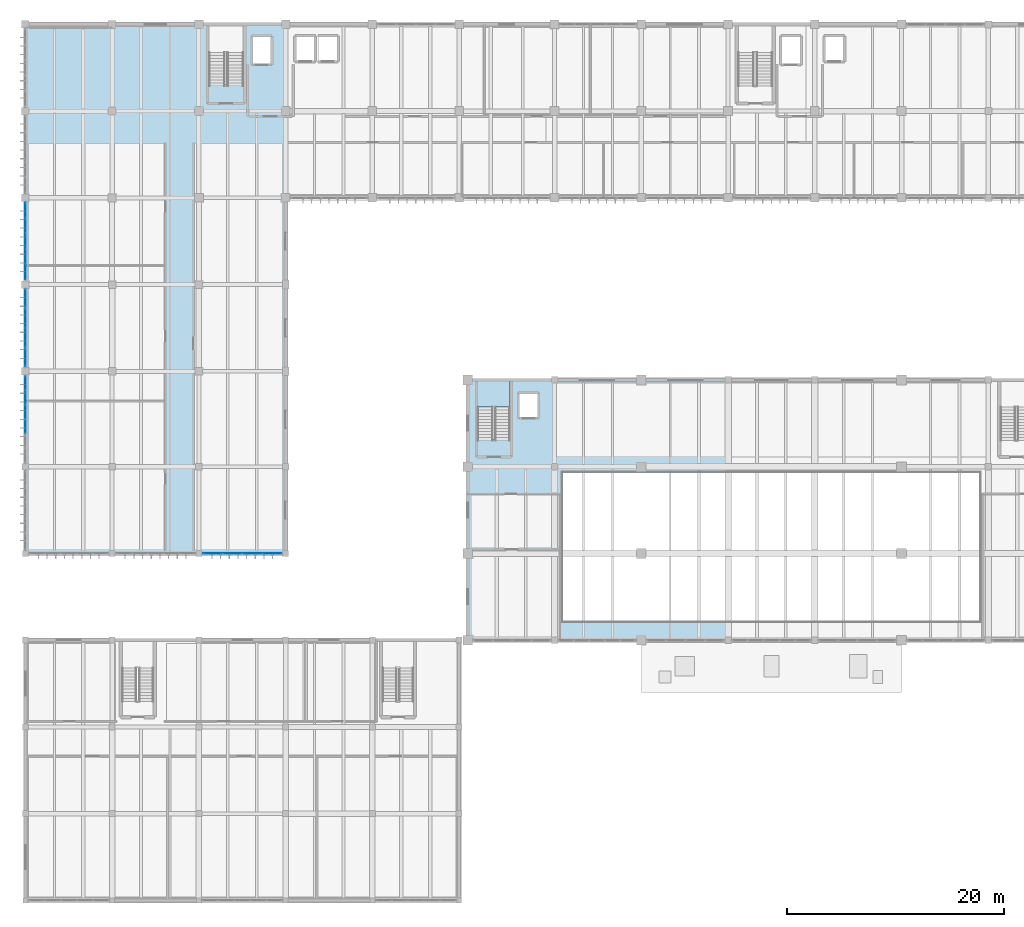
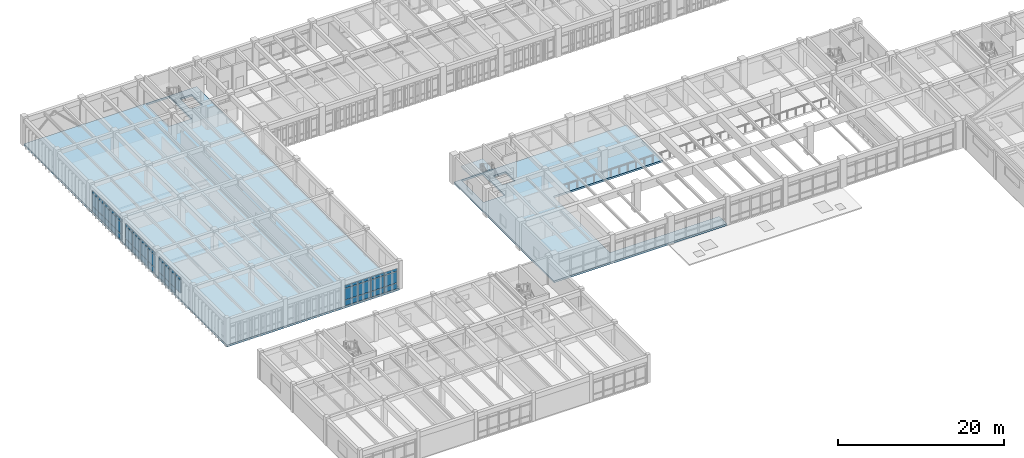
# One storey, part 31 of 67: 50 plates, 3 slabs, 5 elements without a shape of their own.
"""IFC4 building model written with IfcOpenShell, lengths in metres."""

import ifcopenshell
import ifcopenshell.guid

model = None  # the IFC model being written
_history = None  # IfcOwnerHistory: only IFC2X3 demands one
_inside = {}  # id of a spatial element -> (the spatial element, [elements in it])
_under = {}  # id of a project, library or spatial element -> (it, [spatial elements below it])
_declared = {}  # id of a project -> (the project, [libraries it declares])
_typed = {}  # id of a type object -> (the type object, [elements of that type])
_made_of = {}  # id of a material, layer set ... -> (it, [elements and type objects made of it])


def new_model(schema):
    """Start an empty IFC model of exactly this schema.

    Asked for "IFC4X3", IfcOpenShell would pick the latest addendum, in which some entities
    have other attributes; the version numbers below select the first issue.
    IFC2X3 requires an IfcOwnerHistory on every rooted entity: one is made here for all.
    """
    global model, _history
    if schema == "IFC4X3":
        model = ifcopenshell.file(schema_version=(4, 3, 0, 0))
    else:
        model = ifcopenshell.file(schema=schema)
    _inside.clear()
    _under.clear()
    _declared.clear()
    _typed.clear()
    _made_of.clear()
    _history = None
    if model.schema == "IFC2X3":
        org = make("IfcOrganization", Name="unknown")
        user = make(
            "IfcPersonAndOrganization",
            ThePerson=make("IfcPerson", FamilyName="unknown"),
            TheOrganization=org,
        )
        app = make(
            "IfcApplication",
            ApplicationDeveloper=org,
            Version="unknown",
            ApplicationFullName="unknown",
            ApplicationIdentifier="unknown",
        )
        _history = make(
            "IfcOwnerHistory",
            OwningUser=user,
            OwningApplication=app,
            ChangeAction="ADDED",
            CreationDate=0,
        )
    return model


def make(cls, **values):
    """One entity of the class cls with the attributes given. An attribute that is None is left unset."""
    return model.create_entity(
        cls, **{name: value for name, value in values.items() if value is not None}
    )


def rooted(cls, **values):
    """An entity with a GlobalId (a new one), such as an element, a storey or a relation."""
    return make(cls, GlobalId=ifcopenshell.guid.new(), OwnerHistory=_history, **values)


def si_unit(unit_type, name, prefix=None):
    """IfcSIUnit, for example si_unit("LENGTHUNIT", "METRE", prefix="MILLI")."""
    return make("IfcSIUnit", UnitType=unit_type, Prefix=prefix, Name=name)


def assignment(units):
    """IfcUnitAssignment: the units of a project."""
    return None if units is None else make("IfcUnitAssignment", Units=units)


def point(xyz):
    """IfcCartesianPoint."""
    return None if xyz is None else make("IfcCartesianPoint", Coordinates=xyz)


def direction(xyz):
    """IfcDirection."""
    return None if xyz is None else make("IfcDirection", DirectionRatios=xyz)


def frame(location, z_axis=None, x_axis=None):
    """IfcAxis2Placement3D, a coordinate frame: its origin and axes. An axis left out is left unset."""
    return make(
        "IfcAxis2Placement3D",
        Location=point(location),
        Axis=direction(z_axis),
        RefDirection=direction(x_axis),
    )


def frame_2d(location, x_axis=None):
    """IfcAxis2Placement2D, a coordinate frame in the plane: its origin and x axis."""
    return make(
        "IfcAxis2Placement2D", Location=point(location), RefDirection=direction(x_axis)
    )


def origin():
    """The frame at (0, 0, 0) with its axes left unset."""
    return frame((0.0, 0.0, 0.0))


def origin_2d():
    """The frame at (0, 0) in the plane with its x axis left unset."""
    return frame_2d((0.0, 0.0))


def place(relative_to, where):
    """IfcLocalPlacement: puts the frame where relative to a parent placement (None: the world)."""
    return make(
        "IfcLocalPlacement", PlacementRelTo=relative_to, RelativePlacement=where
    )


def context(
    kind, dimensions, precision=None, world=None, true_north=None, identifier=None
):
    """IfcGeometricRepresentationContext, for example the 3D "Model" context."""
    return make(
        "IfcGeometricRepresentationContext",
        ContextIdentifier=identifier,
        ContextType=kind,
        CoordinateSpaceDimension=dimensions,
        Precision=precision,
        WorldCoordinateSystem=world,
        TrueNorth=true_north,
    )


def subcontext(parent, identifier, kind, view, scale=None):
    """IfcGeometricRepresentationSubContext, for example "Body" below "Model"."""
    return make(
        "IfcGeometricRepresentationSubContext",
        ContextIdentifier=identifier,
        ContextType=kind,
        ParentContext=parent,
        TargetScale=scale,
        TargetView=view,
    )


def project(units=None, contexts=None):
    """IfcProject with its units and contexts."""
    return rooted(
        "IfcProject",
        Name="project",
        RepresentationContexts=contexts,
        UnitsInContext=assignment(units),
    )


def spatial(cls, under=None, at=None, **own):
    """A site, building, storey or space (cls), placed at a placement, below another one or the project."""
    s = rooted(cls, ObjectPlacement=at, **own)
    if under is not None:
        _under.setdefault(under.id(), (under, []))[1].append(s)
    return s


def polyline(points):
    """IfcPolyline through the points."""
    return make("IfcPolyline", Points=[point(p) for p in points])


def profile(cls, at=None, kind="AREA", **sizes):
    """A parametric profile (cls). Its sizes go by their IFC names, for example OverallWidth=200.0."""
    return make(cls, ProfileType=kind, Position=at, **sizes)


def rectangle(**sizes):
    """IfcRectangleProfileDef."""
    return profile("IfcRectangleProfileDef", **sizes)


def outline(outer, holes=None, kind="AREA"):
    """IfcArbitraryClosedProfileDef: a profile drawn as a closed curve; with holes, ...WithVoids."""
    if holes is None:
        return make("IfcArbitraryClosedProfileDef", ProfileType=kind, OuterCurve=outer)
    return make(
        "IfcArbitraryProfileDefWithVoids",
        ProfileType=kind,
        OuterCurve=outer,
        InnerCurves=holes,
    )


def extrude(swept, where, along, depth):
    """IfcExtrudedAreaSolid: the profile swept, set in the frame where, extruded along a direction by depth."""
    return make(
        "IfcExtrudedAreaSolid",
        SweptArea=swept,
        Position=where,
        ExtrudedDirection=direction(along),
        Depth=depth,
    )


def shape(context_of_items, identifier, shape_type, items):
    """IfcShapeRepresentation: the items that make up one representation, for example the "Body"."""
    return make(
        "IfcShapeRepresentation",
        ContextOfItems=context_of_items,
        RepresentationIdentifier=identifier,
        RepresentationType=shape_type,
        Items=items,
    )


def material(Name=None, Category=None):
    """IfcMaterial."""
    return make("IfcMaterial", Name=Name, Category=Category)


def layer(
    of_material, thickness, ventilated=None, Name=None, Category=None, Priority=None
):
    """IfcMaterialLayer: one layer of a wall or slab, of a material (None: an air gap)."""
    return make(
        "IfcMaterialLayer",
        Material=of_material,
        LayerThickness=thickness,
        IsVentilated=ventilated,
        Name=Name,
        Category=Category,
        Priority=Priority,
    )


def layer_set(layers, Name=None):
    """IfcMaterialLayerSet."""
    return make("IfcMaterialLayerSet", MaterialLayers=layers, LayerSetName=Name)


def made_of(thing, what):
    """Note that an element or type object is made of a material, layer set ...; save() writes the relation."""
    if what is not None:
        _made_of.setdefault(what.id(), (what, []))[1].append(thing)
    return thing


def type_object(cls, material=None, **own):
    """A type object (cls), such as IfcWallType, which elements share."""
    return made_of(rooted(cls, **own), material)


def element(
    cls,
    number,
    at=None,
    inside=None,
    cuts=None,
    type_object=None,
    material=None,
    context=None,
    identifier="Body",
    shape_type=None,
    held_by="IfcProductDefinitionShape",
    body=None,
    shapes=None,
    **own,
):
    """One element of the class cls, such as IfcWall. Its Tag is "e" and its number.

    at: its placement. inside: the storey or other place that contains it. cuts: it is an
    opening in that element (IfcRelVoidsElement). A single representation is given by context,
    identifier, shape_type and body (its items); several are given by shapes. held_by: the class
    of the entity that holds the representations. save() writes the other relations.
    """
    e = rooted(cls, Tag="e%d" % number, ObjectPlacement=at, **own)
    if body is not None:
        shapes = [shape(context, identifier, shape_type, body)]
    if shapes is not None:
        e.Representation = make(held_by, Representations=shapes)
    if inside is not None:
        _inside.setdefault(inside.id(), (inside, []))[1].append(e)
    if cuts is not None:
        rooted(
            "IfcRelVoidsElement", RelatingBuildingElement=cuts, RelatedOpeningElement=e
        )
    if type_object is not None:
        _typed.setdefault(type_object.id(), (type_object, []))[1].append(e)
    return made_of(e, material)


def aggregate(whole, parts):
    """IfcRelAggregates: a whole, such as a stair, and the parts it consists of."""
    return rooted("IfcRelAggregates", RelatingObject=whole, RelatedObjects=parts)


def save(model, path):
    """Write the relations noted so far, then the file.

    IfcRelAggregates (storeys below a building ...), IfcRelContainedInSpatialStructure (elements
    in a storey), IfcRelDefinesByType, IfcRelAssociatesMaterial and IfcRelDeclares: one each for
    every whole, place, type object, material and project.
    """
    for whole, parts in _under.values():
        aggregate(whole, parts)
    for where, things in _inside.values():
        rooted(
            "IfcRelContainedInSpatialStructure",
            RelatedElements=things,
            RelatingStructure=where,
        )
    for kind, things in _typed.values():
        rooted("IfcRelDefinesByType", RelatedObjects=things, RelatingType=kind)
    for what, things in _made_of.values():
        rooted("IfcRelAssociatesMaterial", RelatedObjects=things, RelatingMaterial=what)
    for by, libraries in _declared.values():
        rooted("IfcRelDeclares", RelatingContext=by, RelatedDefinitions=libraries)
    model.write(path)


model = new_model("IFC4")

# Units and contexts
model_context = context("Model", 3, precision=1e-05, world=origin(), true_north=direction((0.0, 1.0)))
body_context = subcontext(model_context, "Body", "Model", "MODEL_VIEW")
ifc_project = project(units=[si_unit("LENGTHUNIT", "METRE"), si_unit("AREAUNIT", "SQUARE_METRE"), si_unit("VOLUMEUNIT", "CUBIC_METRE"), si_unit("PLANEANGLEUNIT", "RADIAN"), si_unit("MASSUNIT", "GRAM", prefix="KILO")], contexts=[model_context])

# Site, building, storey
site_placement = place(None, origin())
site = spatial("IfcSite", under=ifc_project, at=site_placement, CompositionType="ELEMENT")
building_placement = place(site_placement, origin())
building = spatial("IfcBuilding", under=site, at=building_placement, Name="Tlaxcora Railside Police Headquarters", CompositionType="ELEMENT")
storey_placement = place(building_placement, frame((0.0, 0.0, 4.800048828125)))
storey = spatial("IfcBuildingStorey", under=building, at=storey_placement, Name="L01", CompositionType="ELEMENT", Elevation=4.800048828125)

# Curtain wall, plates
ifc_material_1 = material(Name="Thermally broken low-E insulated glazing", Category="glass")
curtain_wall_type_1 = type_object("IfcCurtainWallType", Name="Unitised Curtain Wall Assembly CW-23", PredefinedType="NOTDEFINED", material=ifc_material_1)
curtain_wall_1_placement = place(storey_placement, origin())
curtain_wall_1 = element("IfcCurtainWall", 1, at=curtain_wall_1_placement, inside=storey, type_object=curtain_wall_type_1, Name="V5 L01 curtain wall 48", PredefinedType="NOTDEFINED")
ifc_layer_1 = layer(ifc_material_1, 0.0400390625, Name="Thermally broken low-E insulated glazing")
ifc_layer_set_1 = layer_set([ifc_layer_1], Name="Thermally broken low-E insulated glazing")
plate_type_1 = type_object("IfcPlateType", Name="Curtain Wall Infill Panel CW-17", PredefinedType="CURTAIN_PANEL", material=ifc_layer_set_1)
plate_1_placement = place(storey_placement, frame((5.199951171875, 59.709228515625, 0.080078125), z_axis=(0.0, 0.0, 1.0), x_axis=(0.0, -1.0, 0.0)))
plate_1 = element("IfcPlate", 2, at=plate_1_placement, type_object=plate_type_1, Name="CW panel 1.1", PredefinedType="CURTAIN_PANEL", context=body_context, shape_type="SweptSolid", body=[
    extrude(rectangle(XDim=1.2216796875, YDim=0.0400390625, at=origin_2d()), origin(), (0.0, 0.0, 1.0), 0.780029296875),
])
plate_2_placement = place(storey_placement, frame((5.199951171875, 59.709228515625, 0.93994140625), z_axis=(0.0, 0.0, 1.0), x_axis=(0.0, -1.0, 0.0)))
plate_2 = element("IfcPlate", 3, at=plate_2_placement, type_object=plate_type_1, Name="CW panel 1.2", PredefinedType="CURTAIN_PANEL", context=body_context, shape_type="SweptSolid", body=[
    extrude(rectangle(XDim=1.2216796875, YDim=0.0400390625, at=origin_2d()), origin(), (0.0, 0.0, 1.0), 1.72998046875),
])
plate_3_placement = place(storey_placement, frame((5.199951171875, 59.709228515625, 2.75), z_axis=(0.0, 0.0, 1.0), x_axis=(0.0, -1.0, 0.0)))
plate_3 = element("IfcPlate", 4, at=plate_3_placement, type_object=plate_type_1, Name="CW panel 1.3", PredefinedType="CURTAIN_PANEL", context=body_context, shape_type="SweptSolid", body=[
    extrude(rectangle(XDim=1.2216796875, YDim=0.0400390625, at=origin_2d()), origin(), (0.0, 0.0, 1.0), 0.409912109375),
])
plate_4_placement = place(storey_placement, frame((5.199951171875, 58.387451171875, 0.080078125), z_axis=(0.0, 0.0, 1.0), x_axis=(0.0, -1.0, 0.0)))
plate_4 = element("IfcPlate", 5, at=plate_4_placement, type_object=plate_type_1, Name="CW panel 2.1", PredefinedType="CURTAIN_PANEL", context=body_context, shape_type="SweptSolid", body=[
    extrude(rectangle(XDim=1.26171875, YDim=0.0400390625, at=origin_2d()), origin(), (0.0, 0.0, 1.0), 0.780029296875),
])
plate_5_placement = place(storey_placement, frame((5.199951171875, 58.387451171875, 0.93994140625), z_axis=(0.0, 0.0, 1.0), x_axis=(0.0, -1.0, 0.0)))
plate_5 = element("IfcPlate", 6, at=plate_5_placement, type_object=plate_type_1, Name="CW panel 2.2", PredefinedType="CURTAIN_PANEL", context=body_context, shape_type="SweptSolid", body=[
    extrude(rectangle(XDim=1.26171875, YDim=0.0400390625, at=origin_2d()), origin(), (0.0, 0.0, 1.0), 1.72998046875),
])
plate_6_placement = place(storey_placement, frame((5.199951171875, 58.387451171875, 2.75), z_axis=(0.0, 0.0, 1.0), x_axis=(0.0, -1.0, 0.0)))
plate_6 = element("IfcPlate", 7, at=plate_6_placement, type_object=plate_type_1, Name="CW panel 2.3", PredefinedType="CURTAIN_PANEL", context=body_context, shape_type="SweptSolid", body=[
    extrude(rectangle(XDim=1.26171875, YDim=0.0400390625, at=origin_2d()), origin(), (0.0, 0.0, 1.0), 0.409912109375),
])
plate_7_placement = place(storey_placement, frame((5.199951171875, 57.0458984375, 0.080078125), z_axis=(0.0, 0.0, 1.0), x_axis=(0.0, -1.0, 0.0)))
plate_7 = element("IfcPlate", 8, at=plate_7_placement, type_object=plate_type_1, Name="CW panel 3.1", PredefinedType="CURTAIN_PANEL", context=body_context, shape_type="SweptSolid", body=[
    extrude(rectangle(XDim=1.26171875, YDim=0.0400390625, at=origin_2d()), origin(), (0.0, 0.0, 1.0), 0.780029296875),
])
plate_8_placement = place(storey_placement, frame((5.199951171875, 57.0458984375, 0.93994140625), z_axis=(0.0, 0.0, 1.0), x_axis=(0.0, -1.0, 0.0)))
plate_8 = element("IfcPlate", 9, at=plate_8_placement, type_object=plate_type_1, Name="CW panel 3.2", PredefinedType="CURTAIN_PANEL", context=body_context, shape_type="SweptSolid", body=[
    extrude(rectangle(XDim=1.26171875, YDim=0.0400390625, at=origin_2d()), origin(), (0.0, 0.0, 1.0), 1.72998046875),
])
plate_9_placement = place(storey_placement, frame((5.199951171875, 57.0458984375, 2.75), z_axis=(0.0, 0.0, 1.0), x_axis=(0.0, -1.0, 0.0)))
plate_9 = element("IfcPlate", 10, at=plate_9_placement, type_object=plate_type_1, Name="CW panel 3.3", PredefinedType="CURTAIN_PANEL", context=body_context, shape_type="SweptSolid", body=[
    extrude(rectangle(XDim=1.26171875, YDim=0.0400390625, at=origin_2d()), origin(), (0.0, 0.0, 1.0), 0.409912109375),
])
plate_10_placement = place(storey_placement, frame((5.199951171875, 55.7041015625, 0.93994140625), z_axis=(0.0, 0.0, 1.0), x_axis=(0.0, -1.0, 0.0)))
plate_10 = element("IfcPlate", 11, at=plate_10_placement, type_object=plate_type_1, Name="CW panel 4.2", PredefinedType="CURTAIN_PANEL", context=body_context, shape_type="SweptSolid", body=[
    extrude(rectangle(XDim=1.26171875, YDim=0.0400390625, at=origin_2d()), origin(), (0.0, 0.0, 1.0), 1.72998046875),
])
plate_11_placement = place(storey_placement, frame((5.199951171875, 55.7041015625, 2.75), z_axis=(0.0, 0.0, 1.0), x_axis=(0.0, -1.0, 0.0)))
plate_11 = element("IfcPlate", 12, at=plate_11_placement, type_object=plate_type_1, Name="CW panel 4.3", PredefinedType="CURTAIN_PANEL", context=body_context, shape_type="SweptSolid", body=[
    extrude(rectangle(XDim=1.26171875, YDim=0.0400390625, at=origin_2d()), origin(), (0.0, 0.0, 1.0), 0.409912109375),
])
aggregate(curtain_wall_1, [plate_1, plate_2, plate_3, plate_4, plate_5, plate_6, plate_7, plate_8, plate_9, plate_10, plate_11])

curtain_wall_type_2 = type_object("IfcCurtainWallType", Name="Unitised Curtain Wall Assembly CW-15", PredefinedType="NOTDEFINED", material=ifc_material_1)
curtain_wall_2_placement = place(storey_placement, origin())
curtain_wall_2 = element("IfcCurtainWall", 13, at=curtain_wall_2_placement, inside=storey, type_object=curtain_wall_type_2, Name="V5 L01 curtain wall 46", PredefinedType="NOTDEFINED")
ifc_layer_2 = layer(ifc_material_1, 0.031982421875, Name="Thermally broken low-E insulated glazing")
ifc_layer_set_2 = layer_set([ifc_layer_2], Name="Thermally broken low-E insulated glazing")
plate_type_2 = type_object("IfcPlateType", Name="Curtain Wall Infill Panel CW-41", PredefinedType="CURTAIN_PANEL", material=ifc_layer_set_2)
plate_12_placement = place(storey_placement, frame((5.199951171875, 75.6611328125, 0.074951171875), z_axis=(0.0, 0.0, 1.0), x_axis=(0.0, -1.0, 0.0)))
plate_12 = element("IfcPlate", 14, at=plate_12_placement, type_object=plate_type_2, Name="CW panel 1.1", PredefinedType="CURTAIN_PANEL", context=body_context, shape_type="SweptSolid", body=[
    extrude(rectangle(XDim=1.327392578125, YDim=0.031982421875, at=origin_2d()), origin(), (0.0, 0.0, 1.0), 0.78759765625),
])
plate_13_placement = place(storey_placement, frame((5.199951171875, 75.6611328125, 0.9375), z_axis=(0.0, 0.0, 1.0), x_axis=(0.0, -1.0, 0.0)))
plate_13 = element("IfcPlate", 15, at=plate_13_placement, type_object=plate_type_2, Name="CW panel 1.2", PredefinedType="CURTAIN_PANEL", context=body_context, shape_type="SweptSolid", body=[
    extrude(rectangle(XDim=1.327392578125, YDim=0.031982421875, at=origin_2d()), origin(), (0.0, 0.0, 1.0), 1.735107421875),
])
plate_14_placement = place(storey_placement, frame((5.199951171875, 75.6611328125, 2.74755859375), z_axis=(0.0, 0.0, 1.0), x_axis=(0.0, -1.0, 0.0)))
plate_14 = element("IfcPlate", 16, at=plate_14_placement, type_object=plate_type_2, Name="CW panel 1.3", PredefinedType="CURTAIN_PANEL", context=body_context, shape_type="SweptSolid", body=[
    extrude(rectangle(XDim=1.327392578125, YDim=0.031982421875, at=origin_2d()), origin(), (0.0, 0.0, 1.0), 0.41748046875),
])
plate_15_placement = place(storey_placement, frame((5.199951171875, 74.239990234375, 0.074951171875), z_axis=(0.0, 0.0, 1.0), x_axis=(0.0, -1.0, 0.0)))
plate_15 = element("IfcPlate", 17, at=plate_15_placement, type_object=plate_type_2, Name="CW panel 2.1", PredefinedType="CURTAIN_PANEL", context=body_context, shape_type="SweptSolid", body=[
    extrude(rectangle(XDim=1.364990234375, YDim=0.031982421875, at=origin_2d()), origin(), (0.0, 0.0, 1.0), 0.78759765625),
])
plate_16_placement = place(storey_placement, frame((5.199951171875, 74.239990234375, 0.9375), z_axis=(0.0, 0.0, 1.0), x_axis=(0.0, -1.0, 0.0)))
plate_16 = element("IfcPlate", 18, at=plate_16_placement, type_object=plate_type_2, Name="CW panel 2.2", PredefinedType="CURTAIN_PANEL", context=body_context, shape_type="SweptSolid", body=[
    extrude(rectangle(XDim=1.364990234375, YDim=0.031982421875, at=origin_2d()), origin(), (0.0, 0.0, 1.0), 1.735107421875),
])
plate_17_placement = place(storey_placement, frame((5.199951171875, 74.239990234375, 2.74755859375), z_axis=(0.0, 0.0, 1.0), x_axis=(0.0, -1.0, 0.0)))
plate_17 = element("IfcPlate", 19, at=plate_17_placement, type_object=plate_type_2, Name="CW panel 2.3", PredefinedType="CURTAIN_PANEL", context=body_context, shape_type="SweptSolid", body=[
    extrude(rectangle(XDim=1.364990234375, YDim=0.031982421875, at=origin_2d()), origin(), (0.0, 0.0, 1.0), 0.41748046875),
])
plate_18_placement = place(storey_placement, frame((5.199951171875, 72.800048828125, 0.074951171875), z_axis=(0.0, 0.0, 1.0), x_axis=(0.0, -1.0, 0.0)))
plate_18 = element("IfcPlate", 20, at=plate_18_placement, type_object=plate_type_2, Name="CW panel 3.1", PredefinedType="CURTAIN_PANEL", context=body_context, shape_type="SweptSolid", body=[
    extrude(rectangle(XDim=1.364990234375, YDim=0.031982421875, at=origin_2d()), origin(), (0.0, 0.0, 1.0), 0.78759765625),
])
plate_19_placement = place(storey_placement, frame((5.199951171875, 72.800048828125, 0.9375), z_axis=(0.0, 0.0, 1.0), x_axis=(0.0, -1.0, 0.0)))
plate_19 = element("IfcPlate", 21, at=plate_19_placement, type_object=plate_type_2, Name="CW panel 3.2", PredefinedType="CURTAIN_PANEL", context=body_context, shape_type="SweptSolid", body=[
    extrude(rectangle(XDim=1.364990234375, YDim=0.031982421875, at=origin_2d()), origin(), (0.0, 0.0, 1.0), 1.735107421875),
])
plate_20_placement = place(storey_placement, frame((5.199951171875, 72.800048828125, 2.74755859375), z_axis=(0.0, 0.0, 1.0), x_axis=(0.0, -1.0, 0.0)))
plate_20 = element("IfcPlate", 22, at=plate_20_placement, type_object=plate_type_2, Name="CW panel 3.3", PredefinedType="CURTAIN_PANEL", context=body_context, shape_type="SweptSolid", body=[
    extrude(rectangle(XDim=1.364990234375, YDim=0.031982421875, at=origin_2d()), origin(), (0.0, 0.0, 1.0), 0.41748046875),
])
plate_21_placement = place(storey_placement, frame((5.199951171875, 71.360107421875, 0.074951171875), z_axis=(0.0, 0.0, 1.0), x_axis=(0.0, -1.0, 0.0)))
plate_21 = element("IfcPlate", 23, at=plate_21_placement, type_object=plate_type_2, Name="CW panel 4.1", PredefinedType="CURTAIN_PANEL", context=body_context, shape_type="SweptSolid", body=[
    extrude(rectangle(XDim=1.364990234375, YDim=0.031982421875, at=origin_2d()), origin(), (0.0, 0.0, 1.0), 0.78759765625),
])
plate_22_placement = place(storey_placement, frame((5.199951171875, 71.360107421875, 0.9375), z_axis=(0.0, 0.0, 1.0), x_axis=(0.0, -1.0, 0.0)))
plate_22 = element("IfcPlate", 24, at=plate_22_placement, type_object=plate_type_2, Name="CW panel 4.2", PredefinedType="CURTAIN_PANEL", context=body_context, shape_type="SweptSolid", body=[
    extrude(rectangle(XDim=1.364990234375, YDim=0.031982421875, at=origin_2d()), origin(), (0.0, 0.0, 1.0), 1.735107421875),
])
plate_23_placement = place(storey_placement, frame((5.199951171875, 71.360107421875, 2.74755859375), z_axis=(0.0, 0.0, 1.0), x_axis=(0.0, -1.0, 0.0)))
plate_23 = element("IfcPlate", 25, at=plate_23_placement, type_object=plate_type_2, Name="CW panel 4.3", PredefinedType="CURTAIN_PANEL", context=body_context, shape_type="SweptSolid", body=[
    extrude(rectangle(XDim=1.364990234375, YDim=0.031982421875, at=origin_2d()), origin(), (0.0, 0.0, 1.0), 0.41748046875),
])
plate_24_placement = place(storey_placement, frame((5.199951171875, 69.938720703125, 0.074951171875), z_axis=(0.0, 0.0, 1.0), x_axis=(0.0, -1.0, 0.0)))
plate_24 = element("IfcPlate", 26, at=plate_24_placement, type_object=plate_type_2, Name="CW panel 5.1", PredefinedType="CURTAIN_PANEL", context=body_context, shape_type="SweptSolid", body=[
    extrude(rectangle(XDim=1.327392578125, YDim=0.031982421875, at=origin_2d()), origin(), (0.0, 0.0, 1.0), 0.78759765625),
])
plate_25_placement = place(storey_placement, frame((5.199951171875, 69.938720703125, 0.9375), z_axis=(0.0, 0.0, 1.0), x_axis=(0.0, -1.0, 0.0)))
plate_25 = element("IfcPlate", 27, at=plate_25_placement, type_object=plate_type_2, Name="CW panel 5.2", PredefinedType="CURTAIN_PANEL", context=body_context, shape_type="SweptSolid", body=[
    extrude(rectangle(XDim=1.327392578125, YDim=0.031982421875, at=origin_2d()), origin(), (0.0, 0.0, 1.0), 1.735107421875),
])
plate_26_placement = place(storey_placement, frame((5.199951171875, 69.938720703125, 2.74755859375), z_axis=(0.0, 0.0, 1.0), x_axis=(0.0, -1.0, 0.0)))
plate_26 = element("IfcPlate", 28, at=plate_26_placement, type_object=plate_type_2, Name="CW panel 5.3", PredefinedType="CURTAIN_PANEL", context=body_context, shape_type="SweptSolid", body=[
    extrude(rectangle(XDim=1.327392578125, YDim=0.031982421875, at=origin_2d()), origin(), (0.0, 0.0, 1.0), 0.41748046875),
])
aggregate(curtain_wall_2, [plate_12, plate_13, plate_14, plate_15, plate_16, plate_17, plate_18, plate_19, plate_20, plate_21, plate_22, plate_23, plate_24, plate_25, plate_26])

curtain_wall_type_3 = type_object("IfcCurtainWallType", Name="Unitised Curtain Wall Assembly CW-83", PredefinedType="NOTDEFINED", material=ifc_material_1)
curtain_wall_3_placement = place(storey_placement, origin())
curtain_wall_3 = element("IfcCurtainWall", 29, at=curtain_wall_3_placement, inside=storey, type_object=curtain_wall_type_3, Name="V5 L01 curtain wall 31", PredefinedType="NOTDEFINED")
ifc_layer_3 = layer(ifc_material_1, 0.035888671875, Name="Thermally broken low-E insulated glazing")
ifc_layer_set_3 = layer_set([ifc_layer_3], Name="Thermally broken low-E insulated glazing")
plate_type_3 = type_object("IfcPlateType", Name="Curtain Wall Infill Panel CW-72", PredefinedType="CURTAIN_PANEL", material=ifc_layer_set_3)
plate_27_placement = place(storey_placement, frame((22.4638671875, 44.0, 0.080078125), z_axis=(0.0, 0.0, 1.0), x_axis=(1.0, 0.0, 0.0)))
plate_27 = element("IfcPlate", 30, at=plate_27_placement, type_object=plate_type_3, Name="CW panel 1.1", PredefinedType="CURTAIN_PANEL", context=body_context, shape_type="SweptSolid", body=[
    extrude(rectangle(XDim=1.717529296875, YDim=0.035888671875, at=origin_2d()), origin(), (0.0, 0.0, 1.0), 0.780029296875),
])
plate_28_placement = place(storey_placement, frame((22.4638671875, 44.0, 0.93994140625), z_axis=(0.0, 0.0, 1.0), x_axis=(1.0, 0.0, 0.0)))
plate_28 = element("IfcPlate", 31, at=plate_28_placement, type_object=plate_type_3, Name="CW panel 1.2", PredefinedType="CURTAIN_PANEL", context=body_context, shape_type="SweptSolid", body=[
    extrude(rectangle(XDim=1.717529296875, YDim=0.035888671875, at=origin_2d()), origin(), (0.0, 0.0, 1.0), 1.6298828125),
])
plate_29_placement = place(storey_placement, frame((22.4638671875, 44.0, 2.64990234375), z_axis=(0.0, 0.0, 1.0), x_axis=(1.0, 0.0, 0.0)))
plate_29 = element("IfcPlate", 32, at=plate_29_placement, type_object=plate_type_3, Name="CW panel 1.3", PredefinedType="CURTAIN_PANEL", context=body_context, shape_type="SweptSolid", body=[
    extrude(rectangle(XDim=1.717529296875, YDim=0.035888671875, at=origin_2d()), origin(), (0.0, 0.0, 1.0), 0.409912109375),
])
plate_30_placement = place(storey_placement, frame((24.28125, 44.0, 0.080078125), z_axis=(0.0, 0.0, 1.0), x_axis=(1.0, 0.0, 0.0)))
plate_30 = element("IfcPlate", 33, at=plate_30_placement, type_object=plate_type_3, Name="CW panel 2.1", PredefinedType="CURTAIN_PANEL", context=body_context, shape_type="SweptSolid", body=[
    extrude(rectangle(XDim=1.757568359375, YDim=0.035888671875, at=origin_2d()), origin(), (0.0, 0.0, 1.0), 0.780029296875),
])
plate_31_placement = place(storey_placement, frame((24.28125, 44.0, 0.93994140625), z_axis=(0.0, 0.0, 1.0), x_axis=(1.0, 0.0, 0.0)))
plate_31 = element("IfcPlate", 34, at=plate_31_placement, type_object=plate_type_3, Name="CW panel 2.2", PredefinedType="CURTAIN_PANEL", context=body_context, shape_type="SweptSolid", body=[
    extrude(rectangle(XDim=1.757568359375, YDim=0.035888671875, at=origin_2d()), origin(), (0.0, 0.0, 1.0), 1.6298828125),
])
plate_32_placement = place(storey_placement, frame((24.28125, 44.0, 2.64990234375), z_axis=(0.0, 0.0, 1.0), x_axis=(1.0, 0.0, 0.0)))
plate_32 = element("IfcPlate", 35, at=plate_32_placement, type_object=plate_type_3, Name="CW panel 2.3", PredefinedType="CURTAIN_PANEL", context=body_context, shape_type="SweptSolid", body=[
    extrude(rectangle(XDim=1.757568359375, YDim=0.035888671875, at=origin_2d()), origin(), (0.0, 0.0, 1.0), 0.409912109375),
])
plate_33_placement = place(storey_placement, frame((26.11865234375, 44.0, 0.080078125), z_axis=(0.0, 0.0, 1.0), x_axis=(1.0, 0.0, 0.0)))
plate_33 = element("IfcPlate", 36, at=plate_33_placement, type_object=plate_type_3, Name="CW panel 3.1", PredefinedType="CURTAIN_PANEL", context=body_context, shape_type="SweptSolid", body=[
    extrude(rectangle(XDim=1.757568359375, YDim=0.035888671875, at=origin_2d()), origin(), (0.0, 0.0, 1.0), 0.780029296875),
])
plate_34_placement = place(storey_placement, frame((26.11865234375, 44.0, 0.93994140625), z_axis=(0.0, 0.0, 1.0), x_axis=(1.0, 0.0, 0.0)))
plate_34 = element("IfcPlate", 37, at=plate_34_placement, type_object=plate_type_3, Name="CW panel 3.2", PredefinedType="CURTAIN_PANEL", context=body_context, shape_type="SweptSolid", body=[
    extrude(rectangle(XDim=1.757568359375, YDim=0.035888671875, at=origin_2d()), origin(), (0.0, 0.0, 1.0), 1.6298828125),
])
plate_35_placement = place(storey_placement, frame((26.11865234375, 44.0, 2.64990234375), z_axis=(0.0, 0.0, 1.0), x_axis=(1.0, 0.0, 0.0)))
plate_35 = element("IfcPlate", 38, at=plate_35_placement, type_object=plate_type_3, Name="CW panel 3.3", PredefinedType="CURTAIN_PANEL", context=body_context, shape_type="SweptSolid", body=[
    extrude(rectangle(XDim=1.757568359375, YDim=0.035888671875, at=origin_2d()), origin(), (0.0, 0.0, 1.0), 0.409912109375),
])
plate_36_placement = place(storey_placement, frame((27.936279296875, 44.0, 0.080078125), z_axis=(0.0, 0.0, 1.0), x_axis=(1.0, 0.0, 0.0)))
plate_36 = element("IfcPlate", 39, at=plate_36_placement, type_object=plate_type_3, Name="CW panel 4.1", PredefinedType="CURTAIN_PANEL", context=body_context, shape_type="SweptSolid", body=[
    extrude(rectangle(XDim=1.717529296875, YDim=0.035888671875, at=origin_2d()), origin(), (0.0, 0.0, 1.0), 0.780029296875),
])
plate_37_placement = place(storey_placement, frame((27.936279296875, 44.0, 0.93994140625), z_axis=(0.0, 0.0, 1.0), x_axis=(1.0, 0.0, 0.0)))
plate_37 = element("IfcPlate", 40, at=plate_37_placement, type_object=plate_type_3, Name="CW panel 4.2", PredefinedType="CURTAIN_PANEL", context=body_context, shape_type="SweptSolid", body=[
    extrude(rectangle(XDim=1.717529296875, YDim=0.035888671875, at=origin_2d()), origin(), (0.0, 0.0, 1.0), 1.6298828125),
])
plate_38_placement = place(storey_placement, frame((27.936279296875, 44.0, 2.64990234375), z_axis=(0.0, 0.0, 1.0), x_axis=(1.0, 0.0, 0.0)))
plate_38 = element("IfcPlate", 41, at=plate_38_placement, type_object=plate_type_3, Name="CW panel 4.3", PredefinedType="CURTAIN_PANEL", context=body_context, shape_type="SweptSolid", body=[
    extrude(rectangle(XDim=1.717529296875, YDim=0.035888671875, at=origin_2d()), origin(), (0.0, 0.0, 1.0), 0.409912109375),
])
aggregate(curtain_wall_3, [plate_27, plate_28, plate_29, plate_30, plate_31, plate_32, plate_33, plate_34, plate_35, plate_36, plate_37, plate_38])

curtain_wall_4_placement = place(storey_placement, origin())
curtain_wall_4 = element("IfcCurtainWall", 42, at=curtain_wall_4_placement, inside=storey, type_object=curtain_wall_type_3, Name="V5 L01 curtain wall 47", PredefinedType="NOTDEFINED")
plate_39_placement = place(storey_placement, frame((5.199951171875, 67.47998046875, 0.080078125), z_axis=(0.0, 0.0, 1.0), x_axis=(0.0, -1.0, 0.0)))
plate_39 = element("IfcPlate", 43, at=plate_39_placement, type_object=plate_type_3, Name="CW panel 1.1", PredefinedType="CURTAIN_PANEL", context=body_context, shape_type="SweptSolid", body=[
    extrude(rectangle(XDim=1.679931640625, YDim=0.035888671875, at=origin_2d()), origin(), (0.0, 0.0, 1.0), 0.780029296875),
])
plate_40_placement = place(storey_placement, frame((5.199951171875, 67.47998046875, 0.93994140625), z_axis=(0.0, 0.0, 1.0), x_axis=(0.0, -1.0, 0.0)))
plate_40 = element("IfcPlate", 44, at=plate_40_placement, type_object=plate_type_3, Name="CW panel 1.2", PredefinedType="CURTAIN_PANEL", context=body_context, shape_type="SweptSolid", body=[
    extrude(rectangle(XDim=1.679931640625, YDim=0.035888671875, at=origin_2d()), origin(), (0.0, 0.0, 1.0), 1.72998046875),
])
plate_41_placement = place(storey_placement, frame((5.199951171875, 67.47998046875, 2.75), z_axis=(0.0, 0.0, 1.0), x_axis=(0.0, -1.0, 0.0)))
plate_41 = element("IfcPlate", 45, at=plate_41_placement, type_object=plate_type_3, Name="CW panel 1.3", PredefinedType="CURTAIN_PANEL", context=body_context, shape_type="SweptSolid", body=[
    extrude(rectangle(XDim=1.679931640625, YDim=0.035888671875, at=origin_2d()), origin(), (0.0, 0.0, 1.0), 0.409912109375),
])
plate_42_placement = place(storey_placement, frame((5.199951171875, 65.699951171875, 0.080078125), z_axis=(0.0, 0.0, 1.0), x_axis=(0.0, -1.0, 0.0)))
plate_42 = element("IfcPlate", 46, at=plate_42_placement, type_object=plate_type_3, Name="CW panel 2.1", PredefinedType="CURTAIN_PANEL", context=body_context, shape_type="SweptSolid", body=[
    extrude(rectangle(XDim=1.719970703125, YDim=0.035888671875, at=origin_2d()), origin(), (0.0, 0.0, 1.0), 0.780029296875),
])
plate_43_placement = place(storey_placement, frame((5.199951171875, 65.699951171875, 0.93994140625), z_axis=(0.0, 0.0, 1.0), x_axis=(0.0, -1.0, 0.0)))
plate_43 = element("IfcPlate", 47, at=plate_43_placement, type_object=plate_type_3, Name="CW panel 2.2", PredefinedType="CURTAIN_PANEL", context=body_context, shape_type="SweptSolid", body=[
    extrude(rectangle(XDim=1.719970703125, YDim=0.035888671875, at=origin_2d()), origin(), (0.0, 0.0, 1.0), 1.72998046875),
])
plate_44_placement = place(storey_placement, frame((5.199951171875, 65.699951171875, 2.75), z_axis=(0.0, 0.0, 1.0), x_axis=(0.0, -1.0, 0.0)))
plate_44 = element("IfcPlate", 48, at=plate_44_placement, type_object=plate_type_3, Name="CW panel 2.3", PredefinedType="CURTAIN_PANEL", context=body_context, shape_type="SweptSolid", body=[
    extrude(rectangle(XDim=1.719970703125, YDim=0.035888671875, at=origin_2d()), origin(), (0.0, 0.0, 1.0), 0.409912109375),
])
plate_45_placement = place(storey_placement, frame((5.199951171875, 63.89990234375, 0.080078125), z_axis=(0.0, 0.0, 1.0), x_axis=(0.0, -1.0, 0.0)))
plate_45 = element("IfcPlate", 49, at=plate_45_placement, type_object=plate_type_3, Name="CW panel 3.1", PredefinedType="CURTAIN_PANEL", context=body_context, shape_type="SweptSolid", body=[
    extrude(rectangle(XDim=1.719970703125, YDim=0.035888671875, at=origin_2d()), origin(), (0.0, 0.0, 1.0), 0.780029296875),
])
plate_46_placement = place(storey_placement, frame((5.199951171875, 63.89990234375, 0.93994140625), z_axis=(0.0, 0.0, 1.0), x_axis=(0.0, -1.0, 0.0)))
plate_46 = element("IfcPlate", 50, at=plate_46_placement, type_object=plate_type_3, Name="CW panel 3.2", PredefinedType="CURTAIN_PANEL", context=body_context, shape_type="SweptSolid", body=[
    extrude(rectangle(XDim=1.719970703125, YDim=0.035888671875, at=origin_2d()), origin(), (0.0, 0.0, 1.0), 1.72998046875),
])
plate_47_placement = place(storey_placement, frame((5.199951171875, 63.89990234375, 2.75), z_axis=(0.0, 0.0, 1.0), x_axis=(0.0, -1.0, 0.0)))
plate_47 = element("IfcPlate", 51, at=plate_47_placement, type_object=plate_type_3, Name="CW panel 3.3", PredefinedType="CURTAIN_PANEL", context=body_context, shape_type="SweptSolid", body=[
    extrude(rectangle(XDim=1.719970703125, YDim=0.035888671875, at=origin_2d()), origin(), (0.0, 0.0, 1.0), 0.409912109375),
])
plate_48_placement = place(storey_placement, frame((5.199951171875, 62.1201171875, 0.080078125), z_axis=(0.0, 0.0, 1.0), x_axis=(0.0, -1.0, 0.0)))
plate_48 = element("IfcPlate", 52, at=plate_48_placement, type_object=plate_type_3, Name="CW panel 4.1", PredefinedType="CURTAIN_PANEL", context=body_context, shape_type="SweptSolid", body=[
    extrude(rectangle(XDim=1.679931640625, YDim=0.035888671875, at=origin_2d()), origin(), (0.0, 0.0, 1.0), 0.780029296875),
])
plate_49_placement = place(storey_placement, frame((5.199951171875, 62.1201171875, 0.93994140625), z_axis=(0.0, 0.0, 1.0), x_axis=(0.0, -1.0, 0.0)))
plate_49 = element("IfcPlate", 53, at=plate_49_placement, type_object=plate_type_3, Name="CW panel 4.2", PredefinedType="CURTAIN_PANEL", context=body_context, shape_type="SweptSolid", body=[
    extrude(rectangle(XDim=1.679931640625, YDim=0.035888671875, at=origin_2d()), origin(), (0.0, 0.0, 1.0), 1.72998046875),
])
plate_50_placement = place(storey_placement, frame((5.199951171875, 62.1201171875, 2.75), z_axis=(0.0, 0.0, 1.0), x_axis=(0.0, -1.0, 0.0)))
plate_50 = element("IfcPlate", 54, at=plate_50_placement, type_object=plate_type_3, Name="CW panel 4.3", PredefinedType="CURTAIN_PANEL", context=body_context, shape_type="SweptSolid", body=[
    extrude(rectangle(XDim=1.679931640625, YDim=0.035888671875, at=origin_2d()), origin(), (0.0, 0.0, 1.0), 0.409912109375),
])
aggregate(curtain_wall_4, [plate_39, plate_40, plate_41, plate_42, plate_43, plate_44, plate_45, plate_46, plate_47, plate_48, plate_49, plate_50])

# Stair, slab
ifc_material_2 = material(Name="Concrete C40/50", Category="concrete")
stair_type = type_object("IfcStairType", Name="Half-Turn Dog-Leg Stair ST-45", PredefinedType="HALF_TURN_STAIR", material=ifc_material_2)
stair_placement = place(storey_placement, origin())
stair = element("IfcStair", 55, at=stair_placement, inside=storey, type_object=stair_type, Name="L01 ST4", PredefinedType="HALF_TURN_STAIR")
ifc_material_3 = material(Name="Concrete C35/45", Category="concrete")
ifc_layer_4 = layer(ifc_material_3, 0.199951171875, Name="Concrete C35/45")
ifc_layer_set_4 = layer_set([ifc_layer_4], Name="Concrete C35/45")
slab_type_1 = type_object("IfcSlabType", Name="Stair Landing Slab SL-23", PredefinedType="LANDING", material=ifc_layer_set_4)
slab_1_placement = place(storey_placement, frame((0.0, 0.0, 1.89990234375)))
slab_1 = element("IfcSlab", 56, at=slab_1_placement, type_object=slab_type_1, Name="ST4 landing 1", PredefinedType="LANDING", context=body_context, shape_type="SweptSolid", body=[
    extrude(outline(polyline([(49.909912109375, 57.489990234375), (49.909912109375, 59.889892578125), (46.909912109375, 59.889892578125), (46.909912109375, 57.489990234375), (49.909912109375, 57.489990234375)])), origin(), (0.0, 0.0, 1.0), 0.199951171875),
])
aggregate(stair, [slab_1])

# Slabs
ifc_layer_5 = layer(ifc_material_3, 0.27001953125, Name="Concrete C35/45")
ifc_layer_set_5 = layer_set([ifc_layer_5], Name="Concrete C35/45")
slab_type_2 = type_object("IfcSlabType", Name="Suspended Floor Slab SL-36", PredefinedType="FLOOR", material=ifc_layer_set_5)
slab_2_placement = place(storey_placement, frame((0.0, 0.0, -0.27001953125)))
element("IfcSlab", 57, at=slab_2_placement, inside=storey, type_object=slab_type_2, Name="V1 L01 floor slab zone 1", PredefinedType="FLOOR", context=body_context, shape_type="SweptSolid", body=[
    extrude(outline(polyline([(54.800048828125, 37.800048828125), (54.800048828125, 51.39990234375), (70.0, 51.39990234375), (70.0, 60.0), (46.0, 60.0), (46.0, 36.0), (70.0, 36.0), (70.0, 37.800048828125), (54.800048828125, 37.800048828125)]), holes=[polyline([(46.909912109375, 54.550048828125), (46.909912109375, 59.889892578125), (49.909912109375, 59.889892578125), (49.909912109375, 54.550048828125), (46.909912109375, 54.550048828125)]), polyline([(50.75, 58.75), (52.449951171875, 58.75), (52.449951171875, 56.550048828125), (50.75, 56.550048828125), (50.75, 58.75)])]), origin(), (0.0, 0.0, 1.0), 0.27001953125),
])
slab_3_placement = place(storey_placement, frame((0.0, 0.0, -0.27001953125)))
element("IfcSlab", 58, at=slab_3_placement, inside=storey, type_object=slab_type_2, Name="V5 L01 floor slab zone 1", PredefinedType="FLOOR", context=body_context, shape_type="SweptSolid", body=[
    extrude(outline(polyline([(5.199951171875, 92.800048828125), (5.199951171875, 44.0), (29.199951171875, 44.0), (29.199951171875, 76.800048828125), (29.199951171875, 92.800048828125), (5.199951171875, 92.800048828125)]), holes=[polyline([(22.110107421875, 92.68994140625), (25.31005859375, 92.68994140625), (25.31005859375, 87.25), (22.110107421875, 87.25), (22.110107421875, 92.68994140625)]), polyline([(27.85009765625, 91.64990234375), (27.85009765625, 89.14990234375), (26.14990234375, 89.14990234375), (26.14990234375, 91.64990234375), (27.85009765625, 91.64990234375)])]), origin(), (0.0, 0.0, 1.0), 0.27001953125),
])

save(model, "model.ifc")
